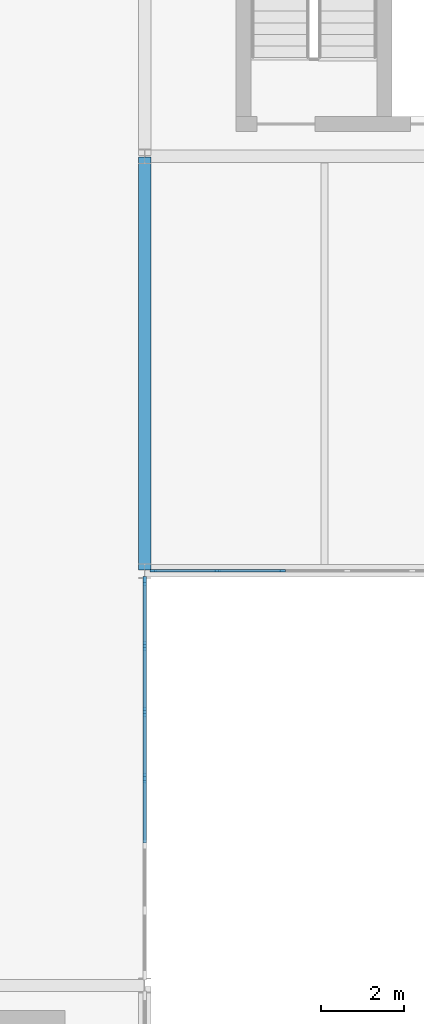
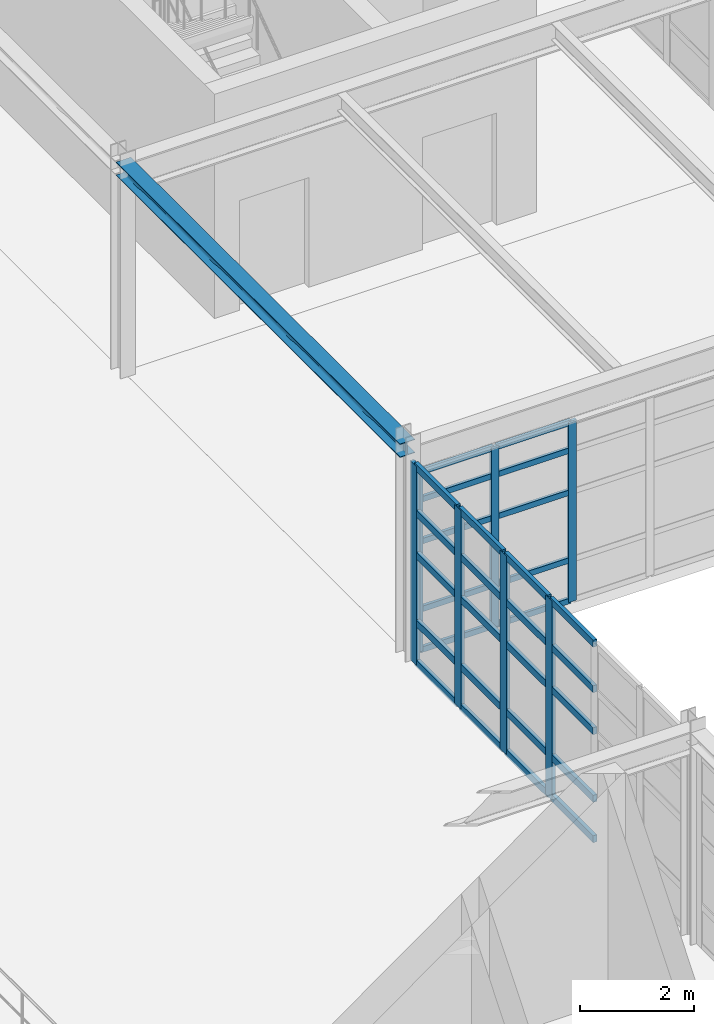
# One storey, part 57 of 139: 37 members, 1 beam, 2 elements without a shape of their own.
"""IFC4 building model written with IfcOpenShell, lengths in metres."""

from ifc_helpers import new_model, si_unit, direction, frame, origin, origin_2d, place, context, subcontext, project, spatial, rectangle, i_section, extrude, material, layer, layer_set, material_profile, profile_set, type_object, element, aggregate, save


model = new_model("IFC4")

# Units and contexts
model_context = context("Model", 3, precision=1e-05, world=origin(), true_north=direction((0.0, 1.0)))
body_context = subcontext(model_context, "Body", "Model", "MODEL_VIEW")
ifc_project = project(units=[si_unit("LENGTHUNIT", "METRE"), si_unit("AREAUNIT", "SQUARE_METRE"), si_unit("VOLUMEUNIT", "CUBIC_METRE"), si_unit("PLANEANGLEUNIT", "RADIAN"), si_unit("MASSUNIT", "GRAM", prefix="KILO"), si_unit("THERMODYNAMICTEMPERATUREUNIT", "KELVIN"), si_unit("POWERUNIT", "WATT")], contexts=[model_context])

# Site, building, storey
site_placement = place(None, origin())
site = spatial("IfcSite", under=ifc_project, at=site_placement, CompositionType="ELEMENT")
building_placement = place(site_placement, origin())
building = spatial("IfcBuilding", under=site, at=building_placement, Name="Korenveer Ferry Terminal", CompositionType="ELEMENT")
storey_placement = place(building_placement, frame((0.0, 0.0, 5.39990234375)))
storey = spatial("IfcBuildingStorey", under=building, at=storey_placement, Name="L01", CompositionType="ELEMENT", Elevation=5.39990234375)

# Curtain wall, members
ifc_material_1 = material(Name="Unitised bronze-and-glass curtain wall", Category="glass")
ifc_layer_1 = layer(ifc_material_1, 0.159912109375)
ifc_layer_set_1 = layer_set([ifc_layer_1], Name="Unitised bronze-and-glass curtain wall")
curtain_wall_type_1 = type_object("IfcCurtainWallType", Name="ENV-CW-47", PredefinedType="USERDEFINED", material=ifc_layer_set_1)
curtain_wall_1_placement = place(storey_placement, frame((123.179931640625, 70.0, 0.0)))
curtain_wall_1 = element("IfcCurtainWall", 1, at=curtain_wall_1_placement, inside=storey, type_object=curtain_wall_type_1, Name="Lancet curtain wall CWX-L01-X123-136-Y70-70", ObjectType="UNITISED CURTAIN WALL", PredefinedType="USERDEFINED")
ifc_material_2 = material(Name="Anodised bronze aluminium", Category="aluminium")
ifc_material_profile_1 = material_profile(ifc_material_2, rectangle(XDim=0.06005859375, YDim=0.159912109375, at=origin_2d()), Name="ALU 60x160")
ifc_profile_set_1 = profile_set([ifc_material_profile_1], Name="Anodised bronze aluminium")
member_type_1 = type_object("IfcMemberType", Name="ENV-CWM-60X160", PredefinedType="MULLION", material=ifc_profile_set_1)
member_1_placement = place(storey_placement, frame((123.2099609375, 70.0, 0.0), z_axis=(0.0, 0.0, 1.0), x_axis=(0.0, 1.0, 0.0)))
member_1 = element("IfcMember", 2, at=member_1_placement, type_object=member_type_1, Name="CW-47 mullion 1", PredefinedType="MULLION", context=body_context, shape_type="SweptSolid", body=[
    extrude(rectangle(XDim=0.06005859375, YDim=0.159912109375, at=origin_2d()), origin(), (0.0, 0.0, 1.0), 3.8701171875),
])
member_2_placement = place(storey_placement, frame((124.74755859375, 70.0, 0.0), z_axis=(0.0, 0.0, 1.0), x_axis=(0.0, 1.0, 0.0)))
member_2 = element("IfcMember", 3, at=member_2_placement, type_object=member_type_1, Name="CW-47 mullion 2", PredefinedType="MULLION", context=body_context, shape_type="SweptSolid", body=[
    extrude(rectangle(XDim=0.06005859375, YDim=0.159912109375, at=origin_2d()), origin(), (0.0, 0.0, 1.0), 3.8701171875),
])
member_3_placement = place(storey_placement, frame((126.31494140625, 70.0, 0.0), z_axis=(0.0, 0.0, 1.0), x_axis=(0.0, 1.0, 0.0)))
member_3 = element("IfcMember", 4, at=member_3_placement, type_object=member_type_1, Name="CW-47 mullion 3", PredefinedType="MULLION", context=body_context, shape_type="SweptSolid", body=[
    extrude(rectangle(XDim=0.06005859375, YDim=0.159912109375, at=origin_2d()), origin(), (0.0, 0.0, 1.0), 3.8701171875),
])

ifc_layer_2 = layer(ifc_material_1, 0.219970703125)
ifc_layer_set_2 = layer_set([ifc_layer_2], Name="Unitised bronze-and-glass curtain wall")
curtain_wall_type_2 = type_object("IfcCurtainWallType", Name="ENV-CW-74", PredefinedType="USERDEFINED", material=ifc_layer_set_2)
curtain_wall_2_placement = place(storey_placement, frame((123.0, 69.7900390625, 0.0)))
curtain_wall_2 = element("IfcCurtainWall", 5, at=curtain_wall_2_placement, inside=storey, type_object=curtain_wall_type_2, Name="Lancet curtain wall CWX-L01-X123-123-Y60-70", ObjectType="UNITISED CURTAIN WALL", PredefinedType="USERDEFINED")
ifc_material_profile_2 = material_profile(ifc_material_2, rectangle(XDim=0.074951171875, YDim=0.219970703125, at=origin_2d()), Name="ALU 75x220")
ifc_profile_set_2 = profile_set([ifc_material_profile_2], Name="Anodised bronze aluminium")
member_type_2 = type_object("IfcMemberType", Name="ENV-CWM-75X220", PredefinedType="MULLION", material=ifc_profile_set_2)
member_4_placement = place(storey_placement, frame((123.0, 69.75244140625, 0.0), z_axis=(0.0, 0.0, 1.0), x_axis=(1.0, 0.0, 0.0)))
member_4 = element("IfcMember", 6, at=member_4_placement, type_object=member_type_2, Name="CW-74 mullion 1", PredefinedType="MULLION", context=body_context, shape_type="SweptSolid", body=[
    extrude(rectangle(XDim=0.074951171875, YDim=0.219970703125, at=origin_2d()), origin(), (0.0, 0.0, 1.0), 4.260009765625),
])
member_5_placement = place(storey_placement, frame((123.0, 68.193359375, 0.0), z_axis=(0.0, 0.0, 1.0), x_axis=(1.0, 0.0, 0.0)))
member_5 = element("IfcMember", 7, at=member_5_placement, type_object=member_type_2, Name="CW-74 mullion 2", PredefinedType="MULLION", context=body_context, shape_type="SweptSolid", body=[
    extrude(rectangle(XDim=0.074951171875, YDim=0.219970703125, at=origin_2d()), origin(), (0.0, 0.0, 1.0), 4.260009765625),
])
member_6_placement = place(storey_placement, frame((123.0, 66.5966796875, 0.0), z_axis=(0.0, 0.0, 1.0), x_axis=(1.0, 0.0, 0.0)))
member_6 = element("IfcMember", 8, at=member_6_placement, type_object=member_type_2, Name="CW-74 mullion 3", PredefinedType="MULLION", context=body_context, shape_type="SweptSolid", body=[
    extrude(rectangle(XDim=0.074951171875, YDim=0.219970703125, at=origin_2d()), origin(), (0.0, 0.0, 1.0), 4.260009765625),
])
member_7_placement = place(storey_placement, frame((123.0, 65.0, 0.0), z_axis=(0.0, 0.0, 1.0), x_axis=(1.0, 0.0, 0.0)))
member_7 = element("IfcMember", 9, at=member_7_placement, type_object=member_type_2, Name="CW-74 mullion 4", PredefinedType="MULLION", context=body_context, shape_type="SweptSolid", body=[
    extrude(rectangle(XDim=0.074951171875, YDim=0.219970703125, at=origin_2d()), origin(), (0.0, 0.0, 1.0), 4.260009765625),
])

# Member
ifc_material_profile_3 = material_profile(ifc_material_2, rectangle(XDim=0.06005859375, YDim=0.1201171875, at=origin_2d()), Name="ALU 60x120")
ifc_profile_set_3 = profile_set([ifc_material_profile_3], Name="Anodised bronze aluminium")
member_type_3 = type_object("IfcMemberType", Name="ENV-CWT-60X120", PredefinedType="USERDEFINED", material=ifc_profile_set_3)
member_8_placement = place(storey_placement, frame((123.239990234375, 70.0, 0.030029296875), z_axis=(1.0, 0.0, 0.0), x_axis=(0.0, 1.0, 0.0)))
member_8 = element("IfcMember", 10, at=member_8_placement, type_object=member_type_3, Name="CW-47 transom 1.1", ObjectType="TRANSOM", PredefinedType="USERDEFINED", context=body_context, shape_type="SweptSolid", body=[
    extrude(rectangle(XDim=0.06005859375, YDim=0.1201171875, at=origin_2d()), origin(), (0.0, 0.0, 1.0), 1.4775390625),
])

member_9_placement = place(storey_placement, frame((123.239990234375, 70.0, 0.900146484375), z_axis=(1.0, 0.0, 0.0), x_axis=(0.0, 1.0, 0.0)))
member_9 = element("IfcMember", 11, at=member_9_placement, type_object=member_type_3, Name="CW-47 transom 1.2", ObjectType="TRANSOM", PredefinedType="USERDEFINED", context=body_context, shape_type="SweptSolid", body=[
    extrude(rectangle(XDim=0.06005859375, YDim=0.1201171875, at=origin_2d()), origin(), (0.0, 0.0, 1.0), 1.4775390625),
])

member_10_placement = place(storey_placement, frame((123.239990234375, 70.0, 2.35009765625), z_axis=(1.0, 0.0, 0.0), x_axis=(0.0, 1.0, 0.0)))
member_10 = element("IfcMember", 12, at=member_10_placement, type_object=member_type_3, Name="CW-47 transom 1.3", ObjectType="TRANSOM", PredefinedType="USERDEFINED", context=body_context, shape_type="SweptSolid", body=[
    extrude(rectangle(XDim=0.06005859375, YDim=0.1201171875, at=origin_2d()), origin(), (0.0, 0.0, 1.0), 1.4775390625),
])

member_11_placement = place(storey_placement, frame((123.239990234375, 70.0, 3.25), z_axis=(1.0, 0.0, 0.0), x_axis=(0.0, 1.0, 0.0)))
member_11 = element("IfcMember", 13, at=member_11_placement, type_object=member_type_3, Name="CW-47 transom 1.4", ObjectType="TRANSOM", PredefinedType="USERDEFINED", context=body_context, shape_type="SweptSolid", body=[
    extrude(rectangle(XDim=0.06005859375, YDim=0.1201171875, at=origin_2d()), origin(), (0.0, 0.0, 1.0), 1.4775390625),
])

member_12_placement = place(storey_placement, frame((123.239990234375, 70.0, 3.840087890625), z_axis=(1.0, 0.0, 0.0), x_axis=(0.0, 1.0, 0.0)))
member_12 = element("IfcMember", 14, at=member_12_placement, type_object=member_type_3, Name="CW-47 transom 1.5", ObjectType="TRANSOM", PredefinedType="USERDEFINED", context=body_context, shape_type="SweptSolid", body=[
    extrude(rectangle(XDim=0.06005859375, YDim=0.1201171875, at=origin_2d()), origin(), (0.0, 0.0, 1.0), 1.4775390625),
])

member_13_placement = place(storey_placement, frame((124.777587890625, 70.0, 0.030029296875), z_axis=(1.0, 0.0, 0.0), x_axis=(0.0, 1.0, 0.0)))
member_13 = element("IfcMember", 15, at=member_13_placement, type_object=member_type_3, Name="CW-47 transom 2.1", ObjectType="TRANSOM", PredefinedType="USERDEFINED", context=body_context, shape_type="SweptSolid", body=[
    extrude(rectangle(XDim=0.06005859375, YDim=0.1201171875, at=origin_2d()), origin(), (0.0, 0.0, 1.0), 1.50732421875),
])

member_14_placement = place(storey_placement, frame((124.777587890625, 70.0, 0.900146484375), z_axis=(1.0, 0.0, 0.0), x_axis=(0.0, 1.0, 0.0)))
member_14 = element("IfcMember", 16, at=member_14_placement, type_object=member_type_3, Name="CW-47 transom 2.2", ObjectType="TRANSOM", PredefinedType="USERDEFINED", context=body_context, shape_type="SweptSolid", body=[
    extrude(rectangle(XDim=0.06005859375, YDim=0.1201171875, at=origin_2d()), origin(), (0.0, 0.0, 1.0), 1.50732421875),
])

member_15_placement = place(storey_placement, frame((124.777587890625, 70.0, 2.35009765625), z_axis=(1.0, 0.0, 0.0), x_axis=(0.0, 1.0, 0.0)))
member_15 = element("IfcMember", 17, at=member_15_placement, type_object=member_type_3, Name="CW-47 transom 2.3", ObjectType="TRANSOM", PredefinedType="USERDEFINED", context=body_context, shape_type="SweptSolid", body=[
    extrude(rectangle(XDim=0.06005859375, YDim=0.1201171875, at=origin_2d()), origin(), (0.0, 0.0, 1.0), 1.50732421875),
])

member_16_placement = place(storey_placement, frame((124.777587890625, 70.0, 3.25), z_axis=(1.0, 0.0, 0.0), x_axis=(0.0, 1.0, 0.0)))
member_16 = element("IfcMember", 18, at=member_16_placement, type_object=member_type_3, Name="CW-47 transom 2.4", ObjectType="TRANSOM", PredefinedType="USERDEFINED", context=body_context, shape_type="SweptSolid", body=[
    extrude(rectangle(XDim=0.06005859375, YDim=0.1201171875, at=origin_2d()), origin(), (0.0, 0.0, 1.0), 1.50732421875),
])

member_17_placement = place(storey_placement, frame((124.777587890625, 70.0, 3.840087890625), z_axis=(1.0, 0.0, 0.0), x_axis=(0.0, 1.0, 0.0)))
member_17 = element("IfcMember", 19, at=member_17_placement, type_object=member_type_3, Name="CW-47 transom 2.5", ObjectType="TRANSOM", PredefinedType="USERDEFINED", context=body_context, shape_type="SweptSolid", body=[
    extrude(rectangle(XDim=0.06005859375, YDim=0.1201171875, at=origin_2d()), origin(), (0.0, 0.0, 1.0), 1.50732421875),
])

aggregate(curtain_wall_1, [member_1, member_2, member_3, member_8, member_9, member_10, member_11, member_12, member_13, member_14, member_15, member_16, member_17])

ifc_material_profile_4 = material_profile(ifc_material_2, rectangle(XDim=0.074951171875, YDim=0.14990234375, at=origin_2d()), Name="ALU 75x150")
ifc_profile_set_4 = profile_set([ifc_material_profile_4], Name="Anodised bronze aluminium")
member_type_4 = type_object("IfcMemberType", Name="ENV-CWT-75X150", PredefinedType="USERDEFINED", material=ifc_profile_set_4)
member_18_placement = place(storey_placement, frame((123.0, 69.715087890625, 0.03759765625), z_axis=(0.0, -1.0, 0.0), x_axis=(1.0, 0.0, 0.0)))
member_18 = element("IfcMember", 20, at=member_18_placement, type_object=member_type_4, Name="CW-74 transom 1.1", ObjectType="TRANSOM", PredefinedType="USERDEFINED", context=body_context, shape_type="SweptSolid", body=[
    extrude(rectangle(XDim=0.074951171875, YDim=0.14990234375, at=origin_2d()), origin(), (0.0, 0.0, 1.0), 1.484375),
])

member_19_placement = place(storey_placement, frame((123.0, 69.715087890625, 0.900146484375), z_axis=(0.0, -1.0, 0.0), x_axis=(1.0, 0.0, 0.0)))
member_19 = element("IfcMember", 21, at=member_19_placement, type_object=member_type_4, Name="CW-74 transom 1.2", ObjectType="TRANSOM", PredefinedType="USERDEFINED", context=body_context, shape_type="SweptSolid", body=[
    extrude(rectangle(XDim=0.074951171875, YDim=0.14990234375, at=origin_2d()), origin(), (0.0, 0.0, 1.0), 1.484375),
])

member_20_placement = place(storey_placement, frame((123.0, 69.715087890625, 2.35009765625), z_axis=(0.0, -1.0, 0.0), x_axis=(1.0, 0.0, 0.0)))
member_20 = element("IfcMember", 22, at=member_20_placement, type_object=member_type_4, Name="CW-74 transom 1.3", ObjectType="TRANSOM", PredefinedType="USERDEFINED", context=body_context, shape_type="SweptSolid", body=[
    extrude(rectangle(XDim=0.074951171875, YDim=0.14990234375, at=origin_2d()), origin(), (0.0, 0.0, 1.0), 1.484375),
])

member_21_placement = place(storey_placement, frame((123.0, 69.715087890625, 3.25), z_axis=(0.0, -1.0, 0.0), x_axis=(1.0, 0.0, 0.0)))
member_21 = element("IfcMember", 23, at=member_21_placement, type_object=member_type_4, Name="CW-74 transom 1.4", ObjectType="TRANSOM", PredefinedType="USERDEFINED", context=body_context, shape_type="SweptSolid", body=[
    extrude(rectangle(XDim=0.074951171875, YDim=0.14990234375, at=origin_2d()), origin(), (0.0, 0.0, 1.0), 1.484375),
])

member_22_placement = place(storey_placement, frame((123.0, 69.715087890625, 4.22265625), z_axis=(0.0, -1.0, 0.0), x_axis=(1.0, 0.0, 0.0)))
member_22 = element("IfcMember", 24, at=member_22_placement, type_object=member_type_4, Name="CW-74 transom 1.5", ObjectType="TRANSOM", PredefinedType="USERDEFINED", context=body_context, shape_type="SweptSolid", body=[
    extrude(rectangle(XDim=0.074951171875, YDim=0.14990234375, at=origin_2d()), origin(), (0.0, 0.0, 1.0), 1.484375),
])

member_23_placement = place(storey_placement, frame((123.0, 68.15576171875, 0.03759765625), z_axis=(0.0, -1.0, 0.0), x_axis=(1.0, 0.0, 0.0)))
member_23 = element("IfcMember", 25, at=member_23_placement, type_object=member_type_4, Name="CW-74 transom 2.1", ObjectType="TRANSOM", PredefinedType="USERDEFINED", context=body_context, shape_type="SweptSolid", body=[
    extrude(rectangle(XDim=0.074951171875, YDim=0.14990234375, at=origin_2d()), origin(), (0.0, 0.0, 1.0), 1.521484375),
])

member_24_placement = place(storey_placement, frame((123.0, 68.15576171875, 0.900146484375), z_axis=(0.0, -1.0, 0.0), x_axis=(1.0, 0.0, 0.0)))
member_24 = element("IfcMember", 26, at=member_24_placement, type_object=member_type_4, Name="CW-74 transom 2.2", ObjectType="TRANSOM", PredefinedType="USERDEFINED", context=body_context, shape_type="SweptSolid", body=[
    extrude(rectangle(XDim=0.074951171875, YDim=0.14990234375, at=origin_2d()), origin(), (0.0, 0.0, 1.0), 1.521484375),
])

member_25_placement = place(storey_placement, frame((123.0, 68.15576171875, 2.35009765625), z_axis=(0.0, -1.0, 0.0), x_axis=(1.0, 0.0, 0.0)))
member_25 = element("IfcMember", 27, at=member_25_placement, type_object=member_type_4, Name="CW-74 transom 2.3", ObjectType="TRANSOM", PredefinedType="USERDEFINED", context=body_context, shape_type="SweptSolid", body=[
    extrude(rectangle(XDim=0.074951171875, YDim=0.14990234375, at=origin_2d()), origin(), (0.0, 0.0, 1.0), 1.521484375),
])

member_26_placement = place(storey_placement, frame((123.0, 68.15576171875, 3.25), z_axis=(0.0, -1.0, 0.0), x_axis=(1.0, 0.0, 0.0)))
member_26 = element("IfcMember", 28, at=member_26_placement, type_object=member_type_4, Name="CW-74 transom 2.4", ObjectType="TRANSOM", PredefinedType="USERDEFINED", context=body_context, shape_type="SweptSolid", body=[
    extrude(rectangle(XDim=0.074951171875, YDim=0.14990234375, at=origin_2d()), origin(), (0.0, 0.0, 1.0), 1.521484375),
])

member_27_placement = place(storey_placement, frame((123.0, 68.15576171875, 4.22265625), z_axis=(0.0, -1.0, 0.0), x_axis=(1.0, 0.0, 0.0)))
member_27 = element("IfcMember", 29, at=member_27_placement, type_object=member_type_4, Name="CW-74 transom 2.5", ObjectType="TRANSOM", PredefinedType="USERDEFINED", context=body_context, shape_type="SweptSolid", body=[
    extrude(rectangle(XDim=0.074951171875, YDim=0.14990234375, at=origin_2d()), origin(), (0.0, 0.0, 1.0), 1.521484375),
])

member_28_placement = place(storey_placement, frame((123.0, 66.55908203125, 0.03759765625), z_axis=(0.0, -1.0, 0.0), x_axis=(1.0, 0.0, 0.0)))
member_28 = element("IfcMember", 30, at=member_28_placement, type_object=member_type_4, Name="CW-74 transom 3.1", ObjectType="TRANSOM", PredefinedType="USERDEFINED", context=body_context, shape_type="SweptSolid", body=[
    extrude(rectangle(XDim=0.074951171875, YDim=0.14990234375, at=origin_2d()), origin(), (0.0, 0.0, 1.0), 1.521484375),
])

member_29_placement = place(storey_placement, frame((123.0, 66.55908203125, 0.900146484375), z_axis=(0.0, -1.0, 0.0), x_axis=(1.0, 0.0, 0.0)))
member_29 = element("IfcMember", 31, at=member_29_placement, type_object=member_type_4, Name="CW-74 transom 3.2", ObjectType="TRANSOM", PredefinedType="USERDEFINED", context=body_context, shape_type="SweptSolid", body=[
    extrude(rectangle(XDim=0.074951171875, YDim=0.14990234375, at=origin_2d()), origin(), (0.0, 0.0, 1.0), 1.521484375),
])

member_30_placement = place(storey_placement, frame((123.0, 66.55908203125, 2.35009765625), z_axis=(0.0, -1.0, 0.0), x_axis=(1.0, 0.0, 0.0)))
member_30 = element("IfcMember", 32, at=member_30_placement, type_object=member_type_4, Name="CW-74 transom 3.3", ObjectType="TRANSOM", PredefinedType="USERDEFINED", context=body_context, shape_type="SweptSolid", body=[
    extrude(rectangle(XDim=0.074951171875, YDim=0.14990234375, at=origin_2d()), origin(), (0.0, 0.0, 1.0), 1.521484375),
])

member_31_placement = place(storey_placement, frame((123.0, 66.55908203125, 3.25), z_axis=(0.0, -1.0, 0.0), x_axis=(1.0, 0.0, 0.0)))
member_31 = element("IfcMember", 33, at=member_31_placement, type_object=member_type_4, Name="CW-74 transom 3.4", ObjectType="TRANSOM", PredefinedType="USERDEFINED", context=body_context, shape_type="SweptSolid", body=[
    extrude(rectangle(XDim=0.074951171875, YDim=0.14990234375, at=origin_2d()), origin(), (0.0, 0.0, 1.0), 1.521484375),
])

member_32_placement = place(storey_placement, frame((123.0, 66.55908203125, 4.22265625), z_axis=(0.0, -1.0, 0.0), x_axis=(1.0, 0.0, 0.0)))
member_32 = element("IfcMember", 34, at=member_32_placement, type_object=member_type_4, Name="CW-74 transom 3.5", ObjectType="TRANSOM", PredefinedType="USERDEFINED", context=body_context, shape_type="SweptSolid", body=[
    extrude(rectangle(XDim=0.074951171875, YDim=0.14990234375, at=origin_2d()), origin(), (0.0, 0.0, 1.0), 1.521484375),
])

member_33_placement = place(storey_placement, frame((123.0, 64.96240234375, 0.03759765625), z_axis=(0.0, -1.0, 0.0), x_axis=(1.0, 0.0, 0.0)))
member_33 = element("IfcMember", 35, at=member_33_placement, type_object=member_type_4, Name="CW-74 transom 4.1", ObjectType="TRANSOM", PredefinedType="USERDEFINED", context=body_context, shape_type="SweptSolid", body=[
    extrude(rectangle(XDim=0.074951171875, YDim=0.14990234375, at=origin_2d()), origin(), (0.0, 0.0, 1.0), 1.521484375),
])

member_34_placement = place(storey_placement, frame((123.0, 64.96240234375, 0.900146484375), z_axis=(0.0, -1.0, 0.0), x_axis=(1.0, 0.0, 0.0)))
member_34 = element("IfcMember", 36, at=member_34_placement, type_object=member_type_4, Name="CW-74 transom 4.2", ObjectType="TRANSOM", PredefinedType="USERDEFINED", context=body_context, shape_type="SweptSolid", body=[
    extrude(rectangle(XDim=0.074951171875, YDim=0.14990234375, at=origin_2d()), origin(), (0.0, 0.0, 1.0), 1.521484375),
])

member_35_placement = place(storey_placement, frame((123.0, 64.96240234375, 2.35009765625), z_axis=(0.0, -1.0, 0.0), x_axis=(1.0, 0.0, 0.0)))
member_35 = element("IfcMember", 37, at=member_35_placement, type_object=member_type_4, Name="CW-74 transom 4.3", ObjectType="TRANSOM", PredefinedType="USERDEFINED", context=body_context, shape_type="SweptSolid", body=[
    extrude(rectangle(XDim=0.074951171875, YDim=0.14990234375, at=origin_2d()), origin(), (0.0, 0.0, 1.0), 1.521484375),
])

member_36_placement = place(storey_placement, frame((123.0, 64.96240234375, 3.25), z_axis=(0.0, -1.0, 0.0), x_axis=(1.0, 0.0, 0.0)))
member_36 = element("IfcMember", 38, at=member_36_placement, type_object=member_type_4, Name="CW-74 transom 4.4", ObjectType="TRANSOM", PredefinedType="USERDEFINED", context=body_context, shape_type="SweptSolid", body=[
    extrude(rectangle(XDim=0.074951171875, YDim=0.14990234375, at=origin_2d()), origin(), (0.0, 0.0, 1.0), 1.521484375),
])

member_37_placement = place(storey_placement, frame((123.0, 64.96240234375, 4.22265625), z_axis=(0.0, -1.0, 0.0), x_axis=(1.0, 0.0, 0.0)))
member_37 = element("IfcMember", 39, at=member_37_placement, type_object=member_type_4, Name="CW-74 transom 4.5", ObjectType="TRANSOM", PredefinedType="USERDEFINED", context=body_context, shape_type="SweptSolid", body=[
    extrude(rectangle(XDim=0.074951171875, YDim=0.14990234375, at=origin_2d()), origin(), (0.0, 0.0, 1.0), 1.521484375),
])

aggregate(curtain_wall_2, [member_4, member_5, member_6, member_7, member_18, member_19, member_20, member_21, member_22, member_23, member_24, member_25, member_26, member_27, member_28, member_29, member_30, member_31, member_32, member_33, member_34, member_35, member_36, member_37])

# Beam
ifc_material_3 = material(Name="Steel S355", Category="steel")
ifc_material_profile_5 = material_profile(ifc_material_3, i_section(OverallWidth=0.300048828125, OverallDepth=0.2900390625, WebThickness=0.008544921875, FlangeThickness=0.013916015625, FilletRadius=0.027099609375, at=origin_2d()), Name="HEA 300")
ifc_profile_set_5 = profile_set([ifc_material_profile_5], Name="Steel S355")
beam_type = type_object("IfcBeamType", Name="STR-BM-HEA300", PredefinedType="BEAM", material=ifc_profile_set_5)
beam_placement = place(storey_placement, frame((123.0, 70.02001953125, 4.405029296875), z_axis=(0.0, 1.0, 0.0), x_axis=(-1.0, 0.0, 0.0)))
element("IfcBeam", 40, at=beam_placement, inside=storey, type_object=beam_type, Name="Primary Y girder BMY-L02-X123-Y70-80", PredefinedType="BEAM", context=body_context, shape_type="SweptSolid", body=[
    extrude(i_section(OverallWidth=0.300048828125, OverallDepth=0.2900390625, WebThickness=0.008544921875, FlangeThickness=0.013916015625, FilletRadius=0.027099609375, at=origin_2d()), origin(), (0.0, 0.0, 1.0), 9.9599609375),
])

save(model, "model.ifc")
